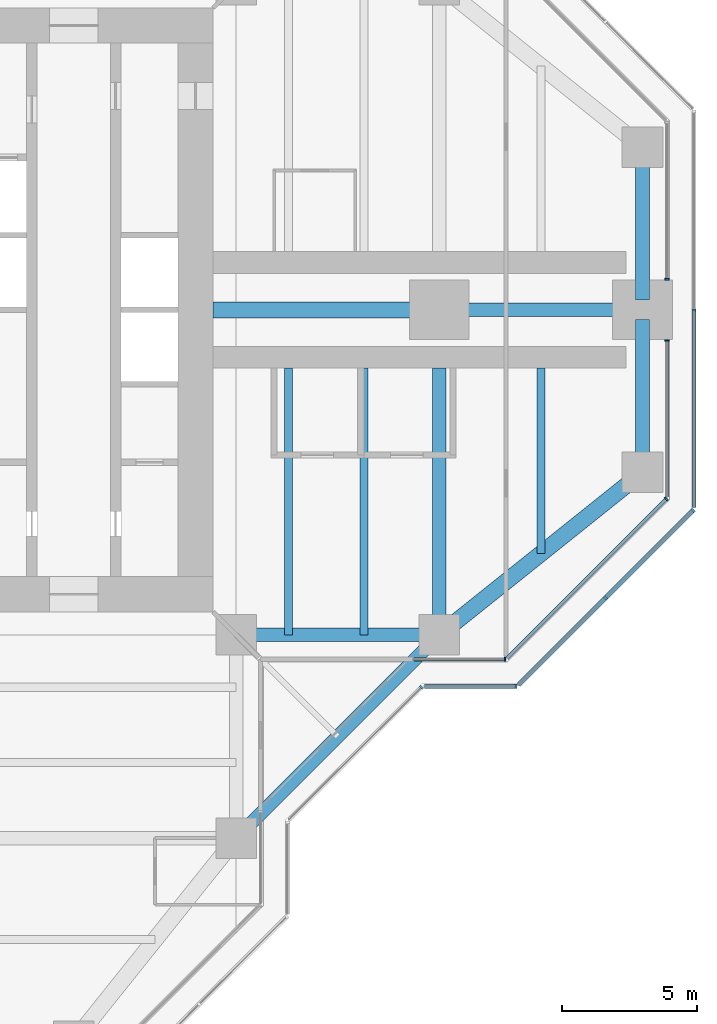
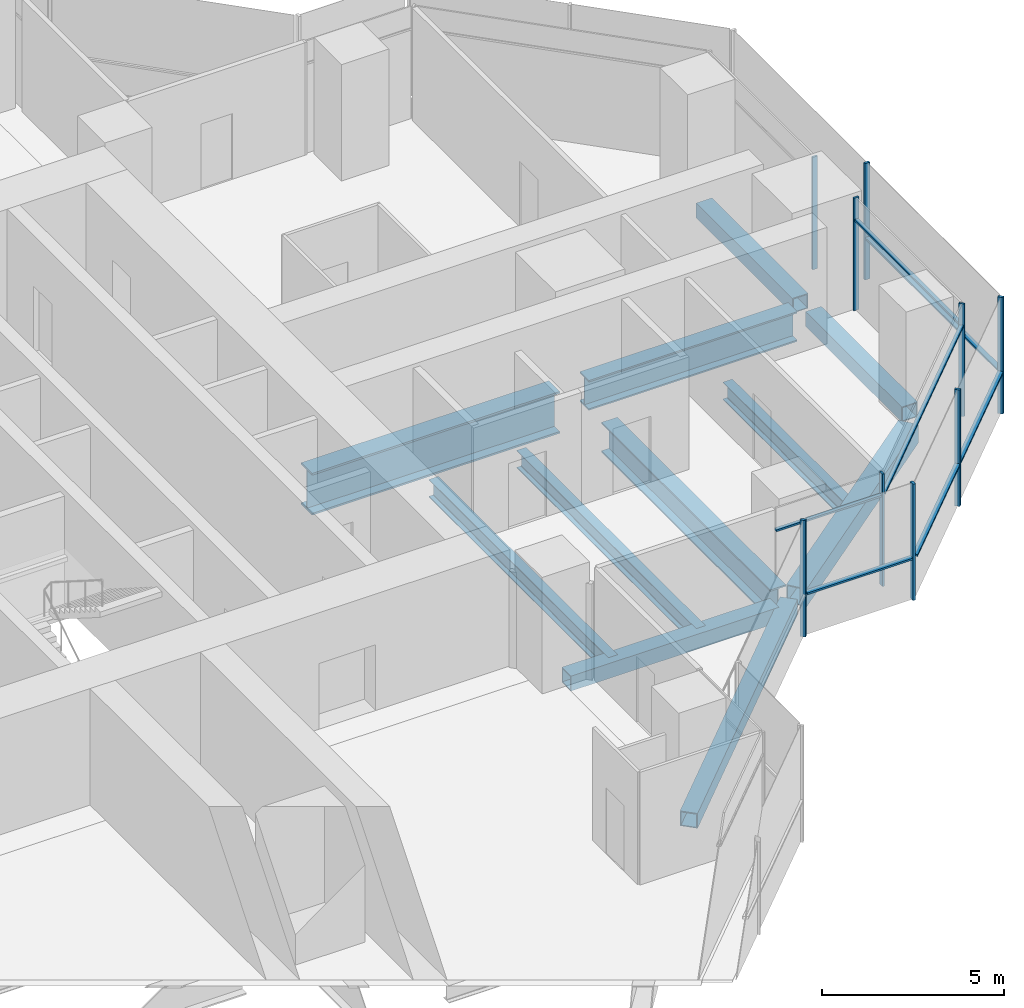
# One storey, part 5 of 17: 16 members, 11 beams, 8 elements without a shape of their own.
"""IFC4 building model written with IfcOpenShell, lengths in metres."""

from ifc_helpers import new_model, si_unit, direction, frame, origin, origin_2d, place, context, subcontext, project, spatial, rectangle, hollow_rectangle, i_section, extrude, material, material_profile, profile_set, type_object, element, aggregate, save


model = new_model("IFC4")

# Units and contexts
model_context = context("Model", 3, precision=1e-05, world=origin(), true_north=direction((0.0, 1.0)))
body_context = subcontext(model_context, "Body", "Model", "MODEL_VIEW")
ifc_project = project(units=[si_unit("LENGTHUNIT", "METRE"), si_unit("AREAUNIT", "SQUARE_METRE"), si_unit("VOLUMEUNIT", "CUBIC_METRE"), si_unit("PLANEANGLEUNIT", "RADIAN"), si_unit("MASSUNIT", "GRAM", prefix="KILO")], contexts=[model_context])

# Site, building, storey
site_placement = place(None, origin())
site = spatial("IfcSite", under=ifc_project, at=site_placement, CompositionType="ELEMENT")
building_placement = place(site_placement, origin())
building = spatial("IfcBuilding", under=site, at=building_placement, Name="Mizan Broadcast Tower", CompositionType="ELEMENT")
storey_placement = place(building_placement, frame((0.0, 0.0, 228.300048828125)))
storey = spatial("IfcBuildingStorey", under=building, at=storey_placement, Name="L53", CompositionType="ELEMENT", Elevation=228.300048828125)

# Beams
ifc_material_1 = material(Name="Steel S355", Category="steel")
ifc_material_profile_1 = material_profile(ifc_material_1, hollow_rectangle(XDim=0.5, YDim=0.5, WallThickness=0.030029296875, at=origin_2d()), Name="BOX 500x500x30")
ifc_profile_set_1 = profile_set([ifc_material_profile_1], Name="Steel S355")
beam_type_1 = type_object("IfcBeamType", Name="EDGE BEAM BOX 500x500x30", PredefinedType="SPANDREL", material=ifc_profile_set_1)
beam_1_placement = place(storey_placement, frame((12.449951171875, -12.0, -0.380126953125), z_axis=(1.0, 0.0, 0.0), x_axis=(0.0, 1.0, 0.0)))
element("IfcBeam", 1, at=beam_1_placement, inside=storey, type_object=beam_type_1, Name="Edge beam BOX 500x500x30 L53 east arm", PredefinedType="SPANDREL", context=body_context, shape_type="SweptSolid", body=[
    extrude(hollow_rectangle(XDim=0.5, YDim=0.5, WallThickness=0.030029296875, at=origin_2d()), origin(), (0.0, 0.0, 1.0), 6.60009765625),
])
for number, where, z_axis, x_axis, name in (
    (2, (27.0, -5.639892578125, -0.380126953125), (0.0, 1.0, 0.0), (-1.0, 0.0, 0.0), "Edge beam BOX 500x500x30 L53 east arm"),
    (3, (27.0, 5.639892578125, -0.380126953125), (0.0, -1.0, 0.0), (1.0, 0.0, 0.0), "Edge beam BOX 500x500x30 L53 east arm"),
):
    element("IfcBeam", number, at=place(storey_placement, frame(where, z_axis=z_axis, x_axis=x_axis)), inside=storey, type_object=beam_type_1, Name=name, PredefinedType="SPANDREL", context=body_context, shape_type="SweptSolid", body=[
        extrude(hollow_rectangle(XDim=0.5, YDim=0.5, WallThickness=0.030029296875, at=origin_2d()), origin(), (0.0, 0.0, 1.0), 5.27978515625),
    ])
beam_2_placement = place(storey_placement, frame((12.0, -19.5, -0.380126953125), z_axis=(0.707106781187, 0.707106781187, 0.0), x_axis=(-0.707106781187, 0.707106781187, 0.0)))
element("IfcBeam", 4, at=beam_2_placement, inside=storey, type_object=beam_type_1, Name="Winter garden edge beam L53 S", PredefinedType="SPANDREL", context=body_context, shape_type="SweptSolid", body=[
    extrude(hollow_rectangle(XDim=0.5, YDim=0.5, WallThickness=0.030029296875, at=origin_2d()), origin(), (0.0, 0.0, 1.0), 10.606689453125),
])
ifc_material_2 = material(Name="Steel S355", Category="steel")
ifc_material_profile_2 = material_profile(ifc_material_2, hollow_rectangle(XDim=0.60009765625, YDim=0.60009765625, WallThickness=0.030029296875, at=origin_2d()), Name="BOX 600x600x30")
ifc_profile_set_2 = profile_set([ifc_material_profile_2], Name="Steel S355")
beam_type_2 = type_object("IfcBeamType", Name="EDGE BEAM BOX 600x600x30", PredefinedType="SPANDREL", material=ifc_profile_set_2)
beam_3_placement = place(storey_placement, frame((19.949951171875, -11.639892578125, -0.429931640625), z_axis=(0.780885717636, 0.624673911726, 0.0), x_axis=(-0.624673911726, 0.780885717636, 0.0)))
element("IfcBeam", 5, at=beam_3_placement, inside=storey, type_object=beam_type_2, Name="Edge beam BOX 600x600x30 L53 east arm", PredefinedType="SPANDREL", context=body_context, shape_type="SweptSolid", body=[
    extrude(hollow_rectangle(XDim=0.60009765625, YDim=0.60009765625, WallThickness=0.030029296875, at=origin_2d()), origin(), (0.0, 0.0, 1.0), 8.4521484375),
])
ifc_material_3 = material(Name="Steel S460", Category="steel")
ifc_material_profile_3 = material_profile(ifc_material_3, i_section(OverallWidth=0.5, OverallDepth=1.0, WebThickness=0.02490234375, FlangeThickness=0.050048828125, at=origin_2d()), Name="WPG 1000x500")
ifc_profile_set_3 = profile_set([ifc_material_profile_3], Name="Steel S460")
beam_type_3 = type_object("IfcBeamType", Name="GIRDER WPG 1000x500", PredefinedType="BEAM", material=ifc_profile_set_3)
beam_4_placement = place(storey_placement, frame((19.949951171875, 0.0, -0.630126953125), z_axis=(1.0, 0.0, 0.0), x_axis=(0.0, 1.0, 0.0)))
element("IfcBeam", 6, at=beam_4_placement, inside=storey, type_object=beam_type_3, Name="Girder WPG 1000x500 L53 east arm", PredefinedType="BEAM", context=body_context, shape_type="SweptSolid", body=[
    extrude(i_section(OverallWidth=0.5, OverallDepth=1.0, WebThickness=0.02490234375, FlangeThickness=0.050048828125, at=origin_2d()), origin(), (0.0, 0.0, 1.0), 6.60009765625),
])
beam_5_placement = place(storey_placement, frame((19.5, -11.408935546875, -0.630126953125), z_axis=(0.0, 1.0, 0.0), x_axis=(-1.0, 0.0, 0.0)))
element("IfcBeam", 7, at=beam_5_placement, inside=storey, type_object=beam_type_3, Name="Girder WPG 1000x500 L53 east arm", PredefinedType="BEAM", context=body_context, shape_type="SweptSolid", body=[
    extrude(i_section(OverallWidth=0.5, OverallDepth=1.0, WebThickness=0.02490234375, FlangeThickness=0.050048828125, at=origin_2d()), origin(), (0.0, 0.0, 1.0), 9.259033203125),
])
ifc_material_4 = material(Name="Steel S460", Category="steel")
ifc_material_profile_4 = material_profile(ifc_material_4, i_section(OverallWidth=0.60009765625, OverallDepth=1.39990234375, WebThickness=0.02490234375, FlangeThickness=0.06005859375, at=origin_2d()), Name="WPG 1400x600")
ifc_profile_set_4 = profile_set([ifc_material_profile_4], Name="Steel S460")
beam_type_4 = type_object("IfcBeamType", Name="GIRDER WPG 1400x600", PredefinedType="BEAM", material=ifc_profile_set_4)
beam_6_placement = place(storey_placement, frame((11.14990234375, 0.0, -0.830078125), z_axis=(1.0, 0.0, 0.0), x_axis=(0.0, 1.0, 0.0)))
element("IfcBeam", 8, at=beam_6_placement, inside=storey, type_object=beam_type_4, Name="Girder WPG 1400x600 L53 east arm", PredefinedType="BEAM", context=body_context, shape_type="SweptSolid", body=[
    extrude(i_section(OverallWidth=0.60009765625, OverallDepth=1.39990234375, WebThickness=0.02490234375, FlangeThickness=0.06005859375, at=origin_2d()), origin(), (0.0, 0.0, 1.0), 7.84912109375),
])

# Curtain wall, member
ifc_material_5 = material(Name="Aluminium framed glazing", Category="aluminium")
curtain_wall_type_1 = type_object("IfcCurtainWallType", Name="INNER SKIN HIGH ZONE", PredefinedType="USERDEFINED", material=ifc_material_5)
curtain_wall_1_placement = place(storey_placement, origin())
curtain_wall_1 = element("IfcCurtainWall", 9, at=curtain_wall_1_placement, inside=storey, type_object=curtain_wall_type_1, Name="Inner skin high zone L53 E side", ObjectType="INNER SKIN HIGH ZONE", PredefinedType="USERDEFINED")
ifc_material_6 = material(Name="Aluminium, pale anodised", Category="aluminium")
ifc_material_profile_5 = material_profile(ifc_material_6, rectangle(XDim=0.159912109375, YDim=0.06005859375, at=origin_2d()), Name="MULLION 160x60")
ifc_profile_set_5 = profile_set([ifc_material_profile_5], Name="Aluminium, pale anodised")
member_type_1 = type_object("IfcMemberType", Name="INNER SKIN MULLION 60x160", PredefinedType="MULLION", material=ifc_profile_set_5)
member_1_placement = place(storey_placement, frame((21.928466796875, -12.89990234375, 0.0), z_axis=(0.0, 0.0, 1.0), x_axis=(0.0, 1.0, 0.0)))
member_1 = element("IfcMember", 10, at=member_1_placement, type_object=member_type_1, Name="Inner skin high zone L53 E side mullion 2", PredefinedType="MULLION", context=body_context, shape_type="SweptSolid", body=[
    extrude(rectangle(XDim=0.159912109375, YDim=0.06005859375, at=origin_2d()), origin(), (0.0, 0.0, 1.0), 3.77001953125),
])

curtain_wall_2_placement = place(storey_placement, origin())
curtain_wall_2 = element("IfcCurtainWall", 11, at=curtain_wall_2_placement, inside=storey, type_object=curtain_wall_type_1, Name="Inner skin high zone L53 E chamfer", ObjectType="INNER SKIN HIGH ZONE", PredefinedType="USERDEFINED")
member_2_placement = place(storey_placement, frame((27.87890625, -6.979736328125, 0.0), z_axis=(0.0, 0.0, 1.0), x_axis=(-0.707106781187, 0.707106781187, 0.0)))
member_2 = element("IfcMember", 12, at=member_2_placement, type_object=member_type_1, Name="Inner skin high zone L53 E chamfer mullion 2", PredefinedType="MULLION", context=body_context, shape_type="SweptSolid", body=[
    extrude(rectangle(XDim=0.159912109375, YDim=0.06005859375, at=origin_2d()), origin(), (0.0, 0.0, 1.0), 3.77001953125),
])

curtain_wall_3_placement = place(storey_placement, origin())
curtain_wall_3 = element("IfcCurtainWall", 13, at=curtain_wall_3_placement, inside=storey, type_object=curtain_wall_type_1, Name="Inner skin high zone L53 E end", ObjectType="INNER SKIN HIGH ZONE", PredefinedType="USERDEFINED")
member_3_placement = place(storey_placement, frame((27.89990234375, -1.1298828125, 0.0), z_axis=(0.0, 0.0, 1.0), x_axis=(-1.0, 0.0, 0.0)))
member_3 = element("IfcMember", 14, at=member_3_placement, type_object=member_type_1, Name="Inner skin high zone L53 E end mullion 2", PredefinedType="MULLION", context=body_context, shape_type="SweptSolid", body=[
    extrude(rectangle(XDim=0.159912109375, YDim=0.06005859375, at=origin_2d()), origin(), (0.0, 0.0, 1.0), 3.77001953125),
])

curtain_wall_4_placement = place(storey_placement, origin())
curtain_wall_4 = element("IfcCurtainWall", 15, at=curtain_wall_4_placement, inside=storey, type_object=curtain_wall_type_1, Name="Inner skin high zone L53 E end", ObjectType="INNER SKIN HIGH ZONE", PredefinedType="USERDEFINED")
member_4_placement = place(storey_placement, frame((27.89990234375, 1.1298828125, 0.0), z_axis=(0.0, 0.0, 1.0), x_axis=(-1.0, 0.0, 0.0)))
member_4 = element("IfcMember", 16, at=member_4_placement, type_object=member_type_1, Name="Inner skin high zone L53 E end mullion 1", PredefinedType="MULLION", context=body_context, shape_type="SweptSolid", body=[
    extrude(rectangle(XDim=0.159912109375, YDim=0.06005859375, at=origin_2d()), origin(), (0.0, 0.0, 1.0), 3.77001953125),
])
aggregate(curtain_wall_4, [member_4])

# Member
ifc_material_7 = material(Name="Aluminium, pale anodised", Category="aluminium")
ifc_material_profile_6 = material_profile(ifc_material_7, rectangle(XDim=0.1201171875, YDim=0.06005859375, at=origin_2d()), Name="TRANSOM 120x60")
ifc_profile_set_6 = profile_set([ifc_material_profile_6], Name="Aluminium, pale anodised")
member_type_2 = type_object("IfcMemberType", Name="INNER SKIN TRANSOM 60x120", PredefinedType="USERDEFINED", material=ifc_profile_set_6)
member_5_placement = place(storey_placement, frame((18.56005859375, -12.89990234375, 3.030029296875), z_axis=(1.0, 0.0, 0.0), x_axis=(0.0, 1.0, 0.0)))
member_5 = element("IfcMember", 17, at=member_5_placement, type_object=member_type_2, Name="Inner skin high zone L53 E side transom 1.1", ObjectType="TRANSOM", PredefinedType="USERDEFINED", context=body_context, shape_type="SweptSolid", body=[
    extrude(rectangle(XDim=0.1201171875, YDim=0.06005859375, at=origin_2d()), origin(), (0.0, 0.0, 1.0), 3.338623046875),
])

aggregate(curtain_wall_1, [member_1, member_5])

member_6_placement = place(storey_placement, frame((22.0009765625, -12.857666015625, 3.030029296875), z_axis=(0.707106781187, 0.707106781187, 0.0), x_axis=(-0.707106781187, 0.707106781187, 0.0)))
member_6 = element("IfcMember", 18, at=member_6_placement, type_object=member_type_2, Name="Inner skin high zone L53 E chamfer transom 1.1", ObjectType="TRANSOM", PredefinedType="USERDEFINED", context=body_context, shape_type="SweptSolid", body=[
    extrude(rectangle(XDim=0.1201171875, YDim=0.06005859375, at=origin_2d()), origin(), (0.0, 0.0, 1.0), 8.28271484375),
])

aggregate(curtain_wall_2, [member_2, member_6])

member_7_placement = place(storey_placement, frame((27.89990234375, -6.898681640625, 3.030029296875), z_axis=(0.0, 1.0, 0.0), x_axis=(-1.0, 0.0, 0.0)))
member_7 = element("IfcMember", 19, at=member_7_placement, type_object=member_type_2, Name="Inner skin high zone L53 E end transom 1.1", ObjectType="TRANSOM", PredefinedType="USERDEFINED", context=body_context, shape_type="SweptSolid", body=[
    extrude(rectangle(XDim=0.1201171875, YDim=0.06005859375, at=origin_2d()), origin(), (0.0, 0.0, 1.0), 5.73876953125),
])

aggregate(curtain_wall_3, [member_3, member_7])

# Curtain wall, members
ifc_material_8 = material(Name="Aluminium framed glazing", Category="aluminium")
curtain_wall_type_2 = type_object("IfcCurtainWallType", Name="OUTER SKIN", PredefinedType="USERDEFINED", material=ifc_material_8)
curtain_wall_5_placement = place(storey_placement, origin())
curtain_wall_5 = element("IfcCurtainWall", 20, at=curtain_wall_5_placement, inside=storey, type_object=curtain_wall_type_2, Name="Outer skin L53 E chamfer", ObjectType="OUTER SKIN", PredefinedType="USERDEFINED")
ifc_material_9 = material(Name="Aluminium, pale anodised", Category="aluminium")
ifc_material_profile_7 = material_profile(ifc_material_9, rectangle(XDim=0.159912109375, YDim=0.080078125, at=origin_2d()), Name="MULLION 160x80")
ifc_profile_set_7 = profile_set([ifc_material_profile_7], Name="Aluminium, pale anodised")
member_type_3 = type_object("IfcMemberType", Name="OUTER SKIN MULLION 80x160", PredefinedType="MULLION", material=ifc_profile_set_7)
member_8_placement = place(storey_placement, frame((25.636474609375, -10.636474609375, 0.0), z_axis=(0.0, 0.0, 1.0), x_axis=(-0.707106781187, 0.707106781187, 0.0)))
member_8 = element("IfcMember", 21, at=member_8_placement, type_object=member_type_3, Name="Outer skin L53 E chamfer mullion 2", PredefinedType="MULLION", context=body_context, shape_type="SweptSolid", body=[
    extrude(rectangle(XDim=0.159912109375, YDim=0.080078125, at=origin_2d()), origin(), (0.0, 0.0, 1.0), 3.89990234375),
])
member_9_placement = place(storey_placement, frame((28.871826171875, -7.401123046875, 0.0), z_axis=(0.0, 0.0, 1.0), x_axis=(-0.707106781187, 0.707106781187, 0.0)))
member_9 = element("IfcMember", 22, at=member_9_placement, type_object=member_type_3, Name="Outer skin L53 E chamfer mullion 3", PredefinedType="MULLION", context=body_context, shape_type="SweptSolid", body=[
    extrude(rectangle(XDim=0.159912109375, YDim=0.080078125, at=origin_2d()), origin(), (0.0, 0.0, 1.0), 3.89990234375),
])

# Curtain wall, member
curtain_wall_6_placement = place(storey_placement, origin())
curtain_wall_6 = element("IfcCurtainWall", 23, at=curtain_wall_6_placement, inside=storey, type_object=curtain_wall_type_2, Name="Outer skin L53 E end", ObjectType="OUTER SKIN", PredefinedType="USERDEFINED")
member_10_placement = place(storey_placement, frame((28.89990234375, 0.0, 0.0), z_axis=(0.0, 0.0, 1.0), x_axis=(-1.0, 0.0, 0.0)))
member_10 = element("IfcMember", 24, at=member_10_placement, type_object=member_type_3, Name="Outer skin L53 E end mullion 2", PredefinedType="MULLION", context=body_context, shape_type="SweptSolid", body=[
    extrude(rectangle(XDim=0.159912109375, YDim=0.080078125, at=origin_2d()), origin(), (0.0, 0.0, 1.0), 3.89990234375),
])

curtain_wall_7_placement = place(storey_placement, origin())
curtain_wall_7 = element("IfcCurtainWall", 25, at=curtain_wall_7_placement, inside=storey, type_object=curtain_wall_type_2, Name="Outer skin L53 E chamfer", ObjectType="OUTER SKIN", PredefinedType="USERDEFINED")
member_11_placement = place(storey_placement, frame((18.844482421875, -13.92822265625, 0.0), z_axis=(0.0, 0.0, 1.0), x_axis=(-0.707106781187, 0.707106781187, 0.0)))
member_11 = element("IfcMember", 26, at=member_11_placement, type_object=member_type_3, Name="Outer skin L53 E chamfer mullion 2", PredefinedType="MULLION", context=body_context, shape_type="SweptSolid", body=[
    extrude(rectangle(XDim=0.159912109375, YDim=0.080078125, at=origin_2d()), origin(), (0.0, 0.0, 1.0), 3.89990234375),
])
aggregate(curtain_wall_7, [member_11])

curtain_wall_8_placement = place(storey_placement, origin())
curtain_wall_8 = element("IfcCurtainWall", 27, at=curtain_wall_8_placement, inside=storey, type_object=curtain_wall_type_2, Name="Outer skin L53 E side", ObjectType="OUTER SKIN", PredefinedType="USERDEFINED")
member_12_placement = place(storey_placement, frame((22.332763671875, -13.89990234375, 0.0), z_axis=(0.0, 0.0, 1.0), x_axis=(0.0, 1.0, 0.0)))
member_12 = element("IfcMember", 28, at=member_12_placement, type_object=member_type_3, Name="Outer skin L53 E side mullion 2", PredefinedType="MULLION", context=body_context, shape_type="SweptSolid", body=[
    extrude(rectangle(XDim=0.159912109375, YDim=0.080078125, at=origin_2d()), origin(), (0.0, 0.0, 1.0), 3.89990234375),
])

# Member
ifc_material_10 = material(Name="Aluminium, pale anodised", Category="aluminium")
ifc_material_profile_8 = material_profile(ifc_material_10, rectangle(XDim=0.159912109375, YDim=0.06005859375, at=origin_2d()), Name="TRANSOM 160x60")
ifc_profile_set_8 = profile_set([ifc_material_profile_8], Name="Aluminium, pale anodised")
member_type_4 = type_object("IfcMemberType", Name="OUTER SKIN TRANSOM 60x160", PredefinedType="USERDEFINED", material=ifc_profile_set_8)
member_13_placement = place(storey_placement, frame((22.429443359375, -13.843505859375, 1.39990234375), z_axis=(0.707106781187, 0.707106781187, 0.0), x_axis=(-0.707106781187, 0.707106781187, 0.0)))
member_13 = element("IfcMember", 29, at=member_13_placement, type_object=member_type_4, Name="Outer skin L53 E chamfer transom 1.1", ObjectType="TRANSOM", PredefinedType="USERDEFINED", context=body_context, shape_type="SweptSolid", body=[
    extrude(rectangle(XDim=0.159912109375, YDim=0.06005859375, at=origin_2d()), origin(), (0.0, 0.0, 1.0), 4.495361328125),
])

member_14_placement = place(storey_placement, frame((25.664794921875, -10.608154296875, 1.39990234375), z_axis=(0.707106781187, 0.707106781187, 0.0), x_axis=(-0.707106781187, 0.707106781187, 0.0)))
member_14 = element("IfcMember", 30, at=member_14_placement, type_object=member_type_4, Name="Outer skin L53 E chamfer transom 2.1", ObjectType="TRANSOM", PredefinedType="USERDEFINED", context=body_context, shape_type="SweptSolid", body=[
    extrude(rectangle(XDim=0.159912109375, YDim=0.06005859375, at=origin_2d()), origin(), (0.0, 0.0, 1.0), 4.495361328125),
])

aggregate(curtain_wall_5, [member_8, member_9, member_13, member_14])

member_15_placement = place(storey_placement, frame((28.89990234375, -7.292724609375, 1.39990234375), z_axis=(0.0, 1.0, 0.0), x_axis=(-1.0, 0.0, 0.0)))
member_15 = element("IfcMember", 31, at=member_15_placement, type_object=member_type_4, Name="Outer skin L53 E end transom 1.1", ObjectType="TRANSOM", PredefinedType="USERDEFINED", context=body_context, shape_type="SweptSolid", body=[
    extrude(rectangle(XDim=0.159912109375, YDim=0.06005859375, at=origin_2d()), origin(), (0.0, 0.0, 1.0), 7.252685546875),
])

aggregate(curtain_wall_6, [member_10, member_15])

member_16_placement = place(storey_placement, frame((18.952880859375, -13.89990234375, 1.39990234375), z_axis=(1.0, 0.0, 0.0), x_axis=(0.0, 1.0, 0.0)))
member_16 = element("IfcMember", 32, at=member_16_placement, type_object=member_type_4, Name="Outer skin L53 E side transom 1.1", ObjectType="TRANSOM", PredefinedType="USERDEFINED", context=body_context, shape_type="SweptSolid", body=[
    extrude(rectangle(XDim=0.159912109375, YDim=0.06005859375, at=origin_2d()), origin(), (0.0, 0.0, 1.0), 3.33984375),
])

aggregate(curtain_wall_8, [member_12, member_16])

# Beams
ifc_material_11 = material(Name="Steel S355", Category="steel")
ifc_material_profile_9 = material_profile(ifc_material_11, i_section(OverallWidth=0.300048828125, OverallDepth=0.590087890625, WebThickness=0.012939453125, FlangeThickness=0.02490234375, FilletRadius=0.027099609375, at=origin_2d()), Name="HEA 600")
ifc_profile_set_9 = profile_set([ifc_material_profile_9], Name="Steel S355")
beam_type_5 = type_object("IfcBeamType", Name="SECONDARY BEAM HEA 600", PredefinedType="JOIST", material=ifc_profile_set_9)
for number, where, z_axis, x_axis, name in (
    (33, (13.933349609375, -12.0, -0.425048828125), (0.0, 1.0, 0.0), (-1.0, 0.0, 0.0), "Secondary beam HEA 600 L53 east arm"),
    (34, (16.716552734375, -12.0, -0.425048828125), (0.0, 1.0, 0.0), (-1.0, 0.0, 0.0), "Secondary beam HEA 600 L53 east arm"),
):
    element("IfcBeam", number, at=place(storey_placement, frame(where, z_axis=z_axis, x_axis=x_axis)), inside=storey, type_object=beam_type_5, Name=name, PredefinedType="JOIST", context=body_context, shape_type="SweptSolid", body=[
        extrude(i_section(OverallWidth=0.300048828125, OverallDepth=0.590087890625, WebThickness=0.012939453125, FlangeThickness=0.02490234375, FilletRadius=0.027099609375, at=origin_2d()), origin(), (0.0, 0.0, 1.0), 9.85009765625),
    ])
beam_7_placement = place(storey_placement, frame((23.25, -9.0, -0.425048828125), z_axis=(0.0, 1.0, 0.0), x_axis=(-1.0, 0.0, 0.0)))
element("IfcBeam", 35, at=beam_7_placement, inside=storey, type_object=beam_type_5, Name="Secondary beam HEA 600 L53 east arm", PredefinedType="JOIST", context=body_context, shape_type="SweptSolid", body=[
    extrude(i_section(OverallWidth=0.300048828125, OverallDepth=0.590087890625, WebThickness=0.012939453125, FlangeThickness=0.02490234375, FilletRadius=0.027099609375, at=origin_2d()), origin(), (0.0, 0.0, 1.0), 6.85009765625),
])

save(model, "model.ifc")
